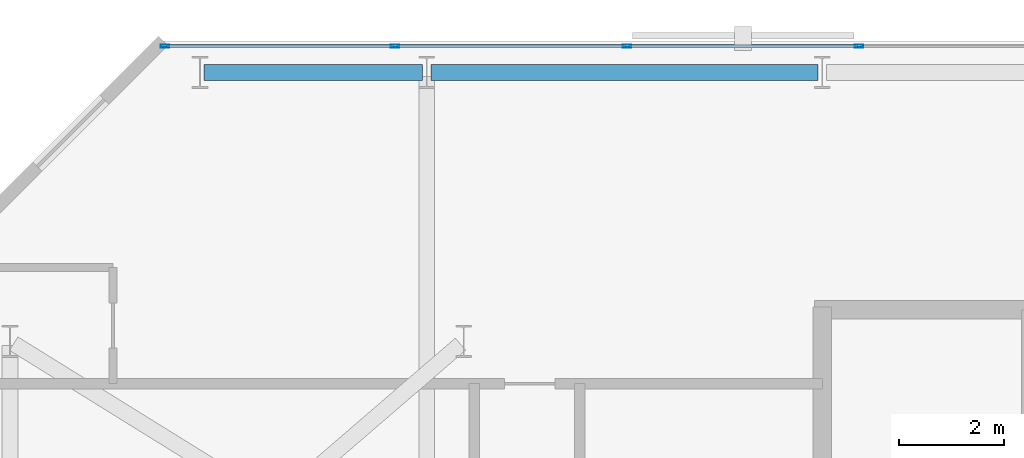
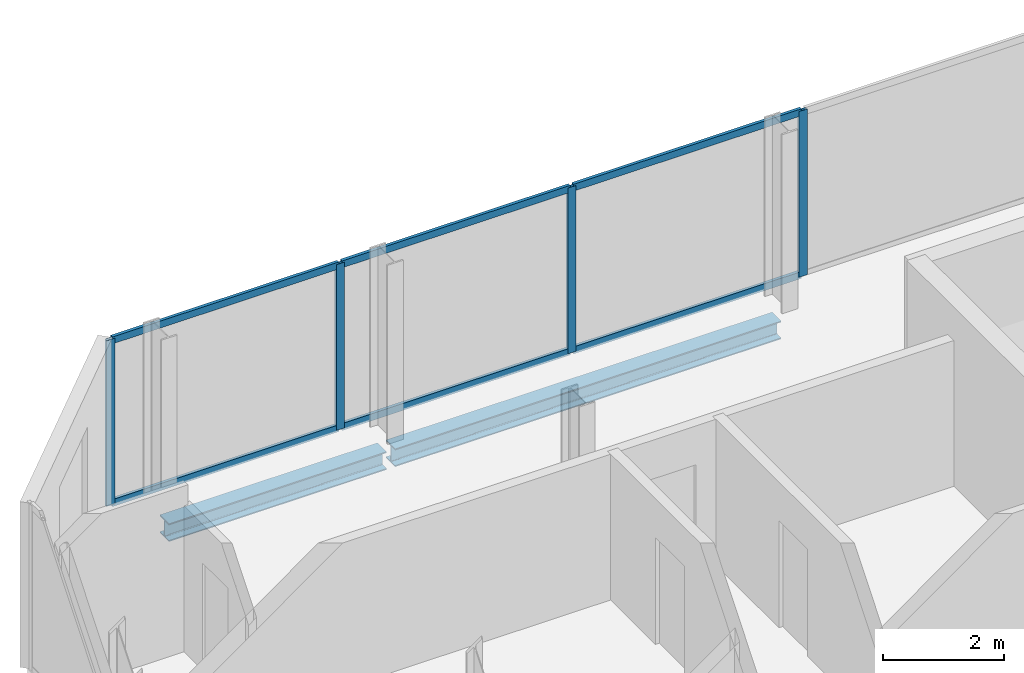
# One storey, part 19 of 32: 10 members, 2 beams, 1 element without a shape of its own.
"""IFC4 building model written with IfcOpenShell, lengths in metres."""

from ifc_helpers import new_model, si_unit, direction, frame, origin, origin_2d, place, context, subcontext, project, spatial, hollow_rectangle, i_section, extrude, material, layer, layer_set, material_profile, profile_set, type_object, element, aggregate, save


model = new_model("IFC4")

# Units and contexts
model_context = context("Model", 3, precision=1e-05, world=origin(), true_north=direction((0.0, 1.0)))
body_context = subcontext(model_context, "Body", "Model", "MODEL_VIEW")
ifc_project = project(units=[si_unit("LENGTHUNIT", "METRE"), si_unit("AREAUNIT", "SQUARE_METRE"), si_unit("VOLUMEUNIT", "CUBIC_METRE"), si_unit("PLANEANGLEUNIT", "RADIAN"), si_unit("MASSUNIT", "GRAM", prefix="KILO")], contexts=[model_context])

# Site, building, storey
site_placement = place(None, origin())
site = spatial("IfcSite", under=ifc_project, at=site_placement, CompositionType="ELEMENT")
building_placement = place(site_placement, origin())
building = spatial("IfcBuilding", under=site, at=building_placement, Name="Catumbela Crestline Tower", CompositionType="ELEMENT")
storey_placement = place(building_placement, frame((0.0, 0.0, 133.2)))
storey = spatial("IfcBuildingStorey", under=building, at=storey_placement, Name="L34", CompositionType="ELEMENT", Elevation=133.2)

# Curtain wall, members
ifc_material_1 = material(Name="Aluminium alloy AW-6060-T66", Category="aluminium")
ifc_layer = layer(ifc_material_1, 0.18, Name="Aluminium alloy AW-6060-T66")
ifc_layer_set = layer_set([ifc_layer], Name="Aluminium alloy AW-6060-T66")
curtain_wall_type = type_object("IfcCurtainWallType", Name="CWU-Z2", PredefinedType="USERDEFINED", material=ifc_layer_set)
curtain_wall_placement = place(storey_placement, origin())
curtain_wall = element("IfcCurtainWall", 1, at=curtain_wall_placement, inside=storey, type_object=curtain_wall_type, Name="L34 Unitised Curtain Wall CW-L34-E7S1", ObjectType="UNITISED", PredefinedType="USERDEFINED")
ifc_material_profile_1 = material_profile(ifc_material_1, hollow_rectangle(XDim=0.06, YDim=0.16, WallThickness=0.004, at=origin_2d()), Name="ALU 160x60x4")
ifc_profile_set_1 = profile_set([ifc_material_profile_1], Name="Aluminium alloy AW-6060-T66")
member_type_1 = type_object("IfcMemberType", Name="MUL-160X60", PredefinedType="MULLION", material=ifc_profile_set_1)
member_1_placement = place(storey_placement, frame((16.7, 47.9, 0.0), z_axis=(0.0, 0.0, 1.0), x_axis=(0.0, -1.0, 0.0)))
member_1 = element("IfcMember", 2, at=member_1_placement, type_object=member_type_1, Name="CWU-Z2 mullion 8", PredefinedType="MULLION", context=body_context, shape_type="SweptSolid", body=[
    extrude(hollow_rectangle(XDim=0.06, YDim=0.16, WallThickness=0.004, at=origin_2d()), origin(), (0.0, 0.0, 1.0), 3.33),
])
member_2_placement = place(storey_placement, frame((12.3, 47.9, 0.0), z_axis=(0.0, 0.0, 1.0), x_axis=(0.0, -1.0, 0.0)))
member_2 = element("IfcMember", 3, at=member_2_placement, type_object=member_type_1, Name="CWU-Z2 mullion 9", PredefinedType="MULLION", context=body_context, shape_type="SweptSolid", body=[
    extrude(hollow_rectangle(XDim=0.06, YDim=0.16, WallThickness=0.004, at=origin_2d()), origin(), (0.0, 0.0, 1.0), 3.33),
])
member_3_placement = place(storey_placement, frame((7.9, 47.9, 0.0), z_axis=(0.0, 0.0, 1.0), x_axis=(0.0, -1.0, 0.0)))
member_3 = element("IfcMember", 4, at=member_3_placement, type_object=member_type_1, Name="CWU-Z2 mullion 10", PredefinedType="MULLION", context=body_context, shape_type="SweptSolid", body=[
    extrude(hollow_rectangle(XDim=0.06, YDim=0.16, WallThickness=0.004, at=origin_2d()), origin(), (0.0, 0.0, 1.0), 3.33),
])
member_4_placement = place(storey_placement, frame((3.5325, 47.9, 0.0), z_axis=(0.0, 0.0, 1.0), x_axis=(0.0, -1.0, 0.0)))
member_4 = element("IfcMember", 5, at=member_4_placement, type_object=member_type_1, Name="CWU-Z2 mullion 11", PredefinedType="MULLION", context=body_context, shape_type="SweptSolid", body=[
    extrude(hollow_rectangle(XDim=0.06, YDim=0.16, WallThickness=0.004, at=origin_2d()), origin(), (0.0, 0.0, 1.0), 3.33),
])

# Beams
ifc_material_2 = material(Name="Structural steel S355J2", Category="steel")
ifc_material_profile_2 = material_profile(ifc_material_2, i_section(OverallWidth=0.3, OverallDepth=0.36, WebThickness=0.0125, FlangeThickness=0.0225, FilletRadius=0.027, at=origin_2d()), Name="HEB 360")
ifc_profile_set_2 = profile_set([ifc_material_profile_2], Name="Structural steel S355J2")
beam_type = type_object("IfcBeamType", Name="BS-HEB360", PredefinedType="SPANDREL", material=ifc_profile_set_2)
beam_1_placement = place(storey_placement, frame((4.28, 47.4, -0.44), z_axis=(1.0, 0.0, 0.0), x_axis=(0.0, 1.0, 0.0)))
element("IfcBeam", 6, at=beam_1_placement, inside=storey, type_object=beam_type, Name="L34 Spandrel SP-L34-NF17", PredefinedType="SPANDREL", context=body_context, shape_type="SweptSolid", body=[
    extrude(i_section(OverallWidth=0.3, OverallDepth=0.36, WebThickness=0.0125, FlangeThickness=0.0225, FilletRadius=0.027, at=origin_2d()), origin(), (0.0, 0.0, 1.0), 4.14),
])
beam_2_placement = place(storey_placement, frame((8.58, 47.4, -0.44), z_axis=(1.0, 0.0, 0.0), x_axis=(0.0, 1.0, 0.0)))
element("IfcBeam", 7, at=beam_2_placement, inside=storey, type_object=beam_type, Name="L34 Spandrel SP-L34-NF18", PredefinedType="SPANDREL", context=body_context, shape_type="SweptSolid", body=[
    extrude(i_section(OverallWidth=0.3, OverallDepth=0.36, WebThickness=0.0125, FlangeThickness=0.0225, FilletRadius=0.027, at=origin_2d()), origin(), (0.0, 0.0, 1.0), 7.34),
])

# Member
ifc_material_profile_3 = material_profile(ifc_material_1, hollow_rectangle(XDim=0.06, YDim=0.14, WallThickness=0.004, at=origin_2d()), Name="ALU 140x60x4")
ifc_profile_set_3 = profile_set([ifc_material_profile_3], Name="Aluminium alloy AW-6060-T66")
member_type_2 = type_object("IfcMemberType", Name="TRN-140X60", PredefinedType="USERDEFINED", material=ifc_profile_set_3)
member_5_placement = place(storey_placement, frame((16.6675, 47.9, 0.03), z_axis=(-1.0, 0.0, 0.0), x_axis=(0.0, -1.0, 0.0)))
member_5 = element("IfcMember", 8, at=member_5_placement, type_object=member_type_2, Name="CWU-Z2 transom 8.1", ObjectType="TRANSOM", PredefinedType="USERDEFINED", context=body_context, shape_type="SweptSolid", body=[
    extrude(hollow_rectangle(XDim=0.06, YDim=0.14, WallThickness=0.004, at=origin_2d()), origin(), (0.0, 0.0, 1.0), 4.335),
])

member_6_placement = place(storey_placement, frame((16.6675, 47.9, 3.3), z_axis=(-1.0, 0.0, 0.0), x_axis=(0.0, -1.0, 0.0)))
member_6 = element("IfcMember", 9, at=member_6_placement, type_object=member_type_2, Name="CWU-Z2 transom 8.2", ObjectType="TRANSOM", PredefinedType="USERDEFINED", context=body_context, shape_type="SweptSolid", body=[
    extrude(hollow_rectangle(XDim=0.06, YDim=0.14, WallThickness=0.004, at=origin_2d()), origin(), (0.0, 0.0, 1.0), 4.335),
])

member_7_placement = place(storey_placement, frame((12.2675, 47.9, 0.03), z_axis=(-1.0, 0.0, 0.0), x_axis=(0.0, -1.0, 0.0)))
member_7 = element("IfcMember", 10, at=member_7_placement, type_object=member_type_2, Name="CWU-Z2 transom 9.1", ObjectType="TRANSOM", PredefinedType="USERDEFINED", context=body_context, shape_type="SweptSolid", body=[
    extrude(hollow_rectangle(XDim=0.06, YDim=0.14, WallThickness=0.004, at=origin_2d()), origin(), (0.0, 0.0, 1.0), 4.335),
])

member_8_placement = place(storey_placement, frame((12.2675, 47.9, 3.3), z_axis=(-1.0, 0.0, 0.0), x_axis=(0.0, -1.0, 0.0)))
member_8 = element("IfcMember", 11, at=member_8_placement, type_object=member_type_2, Name="CWU-Z2 transom 9.2", ObjectType="TRANSOM", PredefinedType="USERDEFINED", context=body_context, shape_type="SweptSolid", body=[
    extrude(hollow_rectangle(XDim=0.06, YDim=0.14, WallThickness=0.004, at=origin_2d()), origin(), (0.0, 0.0, 1.0), 4.335),
])

member_9_placement = place(storey_placement, frame((7.8675, 47.9, 0.03), z_axis=(-1.0, 0.0, 0.0), x_axis=(0.0, -1.0, 0.0)))
member_9 = element("IfcMember", 12, at=member_9_placement, type_object=member_type_2, Name="CWU-Z2 transom 10.1", ObjectType="TRANSOM", PredefinedType="USERDEFINED", context=body_context, shape_type="SweptSolid", body=[
    extrude(hollow_rectangle(XDim=0.06, YDim=0.14, WallThickness=0.004, at=origin_2d()), origin(), (0.0, 0.0, 1.0), 4.3025),
])

member_10_placement = place(storey_placement, frame((7.8675, 47.9, 3.3), z_axis=(-1.0, 0.0, 0.0), x_axis=(0.0, -1.0, 0.0)))
member_10 = element("IfcMember", 13, at=member_10_placement, type_object=member_type_2, Name="CWU-Z2 transom 10.2", ObjectType="TRANSOM", PredefinedType="USERDEFINED", context=body_context, shape_type="SweptSolid", body=[
    extrude(hollow_rectangle(XDim=0.06, YDim=0.14, WallThickness=0.004, at=origin_2d()), origin(), (0.0, 0.0, 1.0), 4.3025),
])

aggregate(curtain_wall, [member_1, member_2, member_3, member_4, member_5, member_6, member_7, member_8, member_9, member_10])

save(model, "model.ifc")
